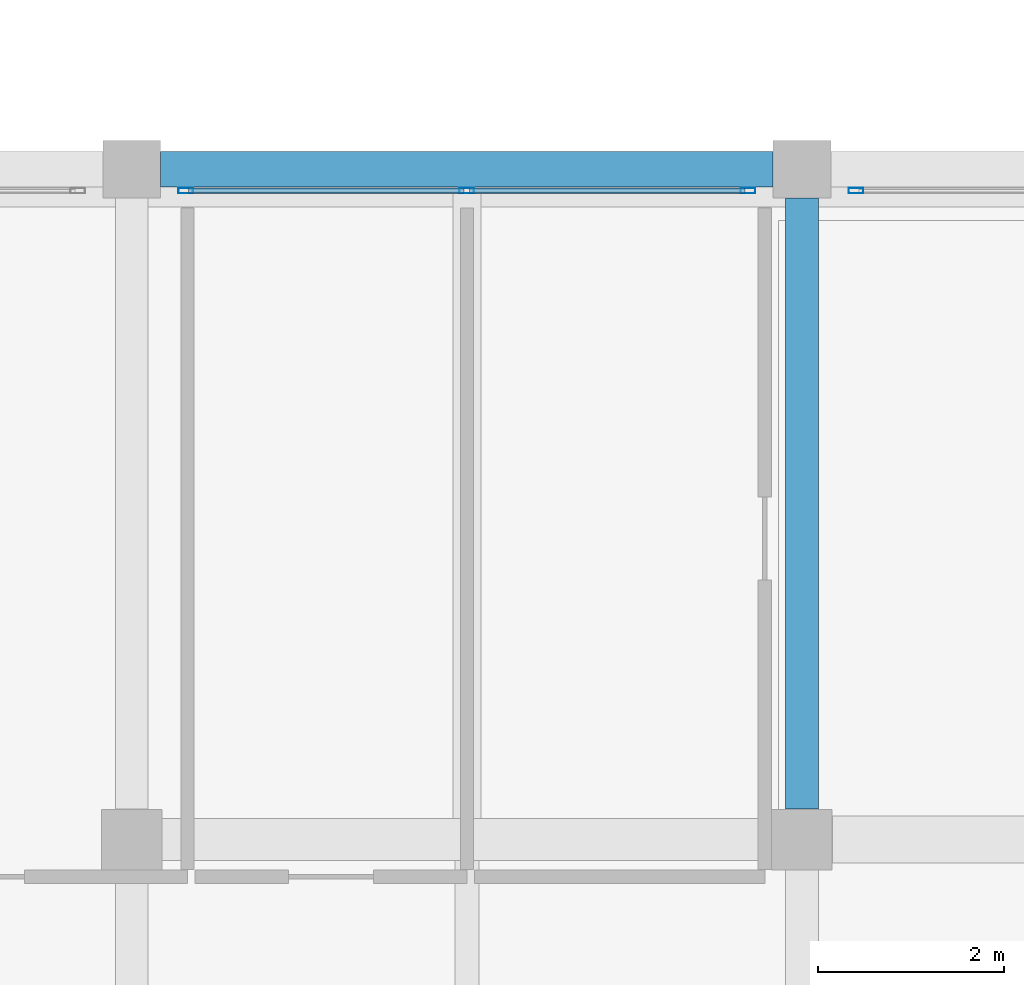
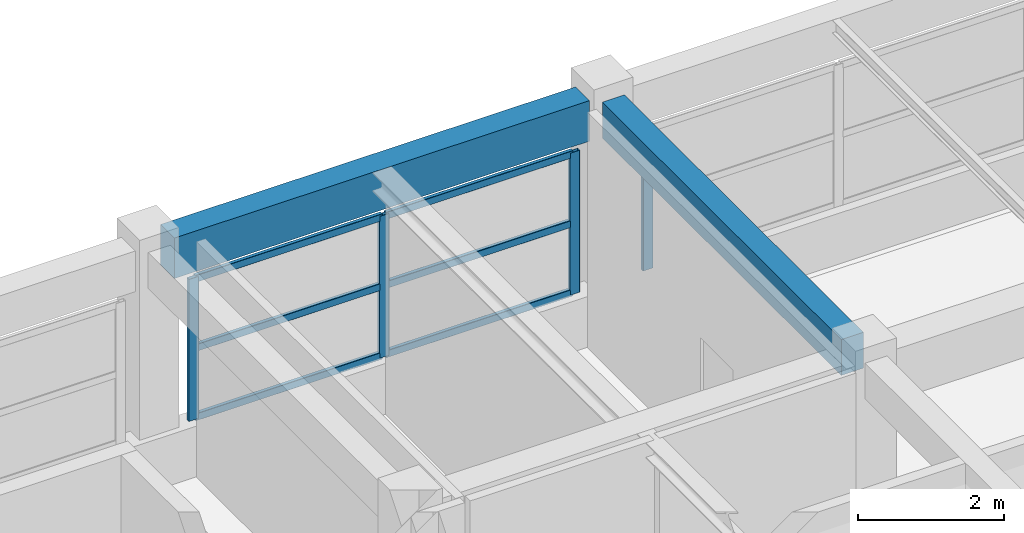
# One storey, part 15 of 67: 10 members, 2 beams, 2 elements without a shape of their own.
"""IFC4 building model written with IfcOpenShell, lengths in metres."""

from ifc_helpers import new_model, si_unit, direction, frame, origin, origin_2d, place, context, subcontext, project, spatial, rectangle, hollow_rectangle, extrude, material, material_profile, profile_set, type_object, element, aggregate, save


model = new_model("IFC4")

# Units and contexts
model_context = context("Model", 3, precision=1e-05, world=origin(), true_north=direction((0.0, 1.0)))
body_context = subcontext(model_context, "Body", "Model", "MODEL_VIEW")
ifc_project = project(units=[si_unit("LENGTHUNIT", "METRE"), si_unit("AREAUNIT", "SQUARE_METRE"), si_unit("VOLUMEUNIT", "CUBIC_METRE"), si_unit("PLANEANGLEUNIT", "RADIAN"), si_unit("MASSUNIT", "GRAM", prefix="KILO")], contexts=[model_context])

# Site, building, storey
site_placement = place(None, origin())
site = spatial("IfcSite", under=ifc_project, at=site_placement, CompositionType="ELEMENT")
building_placement = place(site_placement, origin())
building = spatial("IfcBuilding", under=site, at=building_placement, Name="Bramveld Media Centre", CompositionType="ELEMENT")
storey_placement = place(building_placement, frame((0.0, 0.0, 5.39990234375)))
storey = spatial("IfcBuildingStorey", under=building, at=storey_placement, Name="L01", CompositionType="ELEMENT", Elevation=5.39990234375)

# Beam
ifc_material_1 = material(Name="Concrete C40/50", Category="concrete")
ifc_material_profile_1 = material_profile(ifc_material_1, rectangle(XDim=0.35009765625, YDim=0.60009765625, at=origin_2d()), Name="RC 350x600")
ifc_profile_set_1 = profile_set([ifc_material_profile_1], Name="Concrete C40/50")
beam_type_1 = type_object("IfcBeamType", Name="BM-INT-RC-350x600", PredefinedType="BEAM", material=ifc_profile_set_1)
beam_1_placement = place(storey_placement, frame((94.39990234375, 14.72509765625, 3.650146484375), z_axis=(0.0, 1.0, 0.0), x_axis=(-1.0, 0.0, 0.0)))
element("IfcBeam", 1, at=beam_1_placement, inside=storey, type_object=beam_type_1, Name="V5 L01 girder Y-756", PredefinedType="BEAM", context=body_context, shape_type="SweptSolid", body=[
    extrude(rectangle(XDim=0.35009765625, YDim=0.60009765625, at=origin_2d()), origin(), (0.0, 0.0, 1.0), 6.56494140625),
])

# Curtain wall, members
ifc_material_2 = material(Name="Thermally broken anodized bronze aluminium unitized curtain wall with solar-control triple glazing", Category="aluminium")
curtain_wall_type = type_object("IfcCurtainWallType", Name="CW-FACV5-6100x2380", PredefinedType="NOTDEFINED", material=ifc_material_2)
curtain_wall_1_placement = place(storey_placement, origin())
curtain_wall_1 = element("IfcCurtainWall", 2, at=curtain_wall_1_placement, inside=storey, type_object=curtain_wall_type, Name="V5 L01 N curtain wall bay 5", PredefinedType="NOTDEFINED")
ifc_material_3 = material(Name="Thermally broken anodized bronze aluminium EN AW-6063 T6 curtain-wall framing", Category="aluminium")
ifc_material_profile_2 = material_profile(ifc_material_3, hollow_rectangle(XDim=0.06005859375, YDim=0.159912109375, WallThickness=0.00390625, InnerFilletRadius=0.00390625, OuterFilletRadius=0.008056640625, at=origin_2d()), Name="AL-MULL 60x160")
ifc_profile_set_2 = profile_set([ifc_material_profile_2], Name="Thermally broken anodized bronze aluminium EN AW-6063 T6 curtain-wall framing")
member_type_1 = type_object("IfcMemberType", Name="CW-MULL-EXT", PredefinedType="MULLION", material=ifc_profile_set_2)
member_1_placement = place(storey_placement, frame((87.780029296875, 21.3701171875, 0.85009765625), z_axis=(0.0, 0.0, 1.0), x_axis=(0.0, 1.0, 0.0)))
member_1 = element("IfcMember", 3, at=member_1_placement, type_object=member_type_1, Name="CW-FA-6123 mullion 1", PredefinedType="MULLION", context=body_context, shape_type="SweptSolid", body=[
    extrude(hollow_rectangle(XDim=0.06005859375, YDim=0.159912109375, WallThickness=0.00390625, InnerFilletRadius=0.00390625, OuterFilletRadius=0.008056640625, at=origin_2d()), origin(), (0.0, 0.0, 1.0), 2.3798828125),
])
member_2_placement = place(storey_placement, frame((90.800048828125, 21.3701171875, 0.85009765625), z_axis=(0.0, 0.0, 1.0), x_axis=(0.0, 1.0, 0.0)))
member_2 = element("IfcMember", 4, at=member_2_placement, type_object=member_type_1, Name="CW-FA-6123 mullion 2", PredefinedType="MULLION", context=body_context, shape_type="SweptSolid", body=[
    extrude(hollow_rectangle(XDim=0.06005859375, YDim=0.159912109375, WallThickness=0.00390625, InnerFilletRadius=0.00390625, OuterFilletRadius=0.008056640625, at=origin_2d()), origin(), (0.0, 0.0, 1.0), 2.3798828125),
])
member_3_placement = place(storey_placement, frame((93.820068359375, 21.3701171875, 0.85009765625), z_axis=(0.0, 0.0, 1.0), x_axis=(0.0, 1.0, 0.0)))
member_3 = element("IfcMember", 5, at=member_3_placement, type_object=member_type_1, Name="CW-FA-6123 mullion 3", PredefinedType="MULLION", context=body_context, shape_type="SweptSolid", body=[
    extrude(hollow_rectangle(XDim=0.06005859375, YDim=0.159912109375, WallThickness=0.00390625, InnerFilletRadius=0.00390625, OuterFilletRadius=0.008056640625, at=origin_2d()), origin(), (0.0, 0.0, 1.0), 2.3798828125),
])

# Curtain wall, member
curtain_wall_2_placement = place(storey_placement, origin())
curtain_wall_2 = element("IfcCurtainWall", 6, at=curtain_wall_2_placement, inside=storey, type_object=curtain_wall_type, Name="V5 L01 N curtain wall bay 6", PredefinedType="NOTDEFINED")
member_4_placement = place(storey_placement, frame((94.97998046875, 21.3701171875, 0.85009765625), z_axis=(0.0, 0.0, 1.0), x_axis=(0.0, 1.0, 0.0)))
member_4 = element("IfcMember", 7, at=member_4_placement, type_object=member_type_1, Name="CW-FA-6123 mullion 1", PredefinedType="MULLION", context=body_context, shape_type="SweptSolid", body=[
    extrude(hollow_rectangle(XDim=0.06005859375, YDim=0.159912109375, WallThickness=0.00390625, InnerFilletRadius=0.00390625, OuterFilletRadius=0.008056640625, at=origin_2d()), origin(), (0.0, 0.0, 1.0), 2.3798828125),
])
aggregate(curtain_wall_2, [member_4])

# Member
ifc_material_4 = material(Name="Thermally broken anodized bronze aluminium EN AW-6063 T6 curtain-wall framing", Category="aluminium")
ifc_material_profile_3 = material_profile(ifc_material_4, hollow_rectangle(XDim=0.06005859375, YDim=0.1201171875, WallThickness=0.00341796875, InnerFilletRadius=0.00341796875, OuterFilletRadius=0.007080078125, at=origin_2d()), Name="AL-TRAN 60x120")
ifc_profile_set_3 = profile_set([ifc_material_profile_3], Name="Thermally broken anodized bronze aluminium EN AW-6063 T6 curtain-wall framing")
member_type_2 = type_object("IfcMemberType", Name="CW-TRAN-EXT", PredefinedType="USERDEFINED", material=ifc_profile_set_3)
member_5_placement = place(storey_placement, frame((87.81005859375, 21.3701171875, 0.880126953125), z_axis=(1.0, 0.0, 0.0), x_axis=(0.0, 1.0, 0.0)))
member_5 = element("IfcMember", 8, at=member_5_placement, type_object=member_type_2, Name="CW-FA-6123 transom 1.1", ObjectType="TRANSOM", PredefinedType="USERDEFINED", context=body_context, shape_type="SweptSolid", body=[
    extrude(hollow_rectangle(XDim=0.06005859375, YDim=0.1201171875, WallThickness=0.00341796875, InnerFilletRadius=0.00341796875, OuterFilletRadius=0.007080078125, at=origin_2d()), origin(), (0.0, 0.0, 1.0), 2.9599609375),
])

member_6_placement = place(storey_placement, frame((87.81005859375, 21.3701171875, 2.0400390625), z_axis=(1.0, 0.0, 0.0), x_axis=(0.0, 1.0, 0.0)))
member_6 = element("IfcMember", 9, at=member_6_placement, type_object=member_type_2, Name="CW-FA-6123 transom 1.2", ObjectType="TRANSOM", PredefinedType="USERDEFINED", context=body_context, shape_type="SweptSolid", body=[
    extrude(hollow_rectangle(XDim=0.06005859375, YDim=0.1201171875, WallThickness=0.00341796875, InnerFilletRadius=0.00341796875, OuterFilletRadius=0.007080078125, at=origin_2d()), origin(), (0.0, 0.0, 1.0), 2.9599609375),
])

member_7_placement = place(storey_placement, frame((87.81005859375, 21.3701171875, 3.2001953125), z_axis=(1.0, 0.0, 0.0), x_axis=(0.0, 1.0, 0.0)))
member_7 = element("IfcMember", 10, at=member_7_placement, type_object=member_type_2, Name="CW-FA-6123 transom 1.3", ObjectType="TRANSOM", PredefinedType="USERDEFINED", context=body_context, shape_type="SweptSolid", body=[
    extrude(hollow_rectangle(XDim=0.06005859375, YDim=0.1201171875, WallThickness=0.00341796875, InnerFilletRadius=0.00341796875, OuterFilletRadius=0.007080078125, at=origin_2d()), origin(), (0.0, 0.0, 1.0), 2.9599609375),
])

member_8_placement = place(storey_placement, frame((90.830078125, 21.3701171875, 0.880126953125), z_axis=(1.0, 0.0, 0.0), x_axis=(0.0, 1.0, 0.0)))
member_8 = element("IfcMember", 11, at=member_8_placement, type_object=member_type_2, Name="CW-FA-6123 transom 2.1", ObjectType="TRANSOM", PredefinedType="USERDEFINED", context=body_context, shape_type="SweptSolid", body=[
    extrude(hollow_rectangle(XDim=0.06005859375, YDim=0.1201171875, WallThickness=0.00341796875, InnerFilletRadius=0.00341796875, OuterFilletRadius=0.007080078125, at=origin_2d()), origin(), (0.0, 0.0, 1.0), 2.9599609375),
])

member_9_placement = place(storey_placement, frame((90.830078125, 21.3701171875, 2.0400390625), z_axis=(1.0, 0.0, 0.0), x_axis=(0.0, 1.0, 0.0)))
member_9 = element("IfcMember", 12, at=member_9_placement, type_object=member_type_2, Name="CW-FA-6123 transom 2.2", ObjectType="TRANSOM", PredefinedType="USERDEFINED", context=body_context, shape_type="SweptSolid", body=[
    extrude(hollow_rectangle(XDim=0.06005859375, YDim=0.1201171875, WallThickness=0.00341796875, InnerFilletRadius=0.00341796875, OuterFilletRadius=0.007080078125, at=origin_2d()), origin(), (0.0, 0.0, 1.0), 2.9599609375),
])

member_10_placement = place(storey_placement, frame((90.830078125, 21.3701171875, 3.2001953125), z_axis=(1.0, 0.0, 0.0), x_axis=(0.0, 1.0, 0.0)))
member_10 = element("IfcMember", 13, at=member_10_placement, type_object=member_type_2, Name="CW-FA-6123 transom 2.3", ObjectType="TRANSOM", PredefinedType="USERDEFINED", context=body_context, shape_type="SweptSolid", body=[
    extrude(hollow_rectangle(XDim=0.06005859375, YDim=0.1201171875, WallThickness=0.00341796875, InnerFilletRadius=0.00341796875, OuterFilletRadius=0.007080078125, at=origin_2d()), origin(), (0.0, 0.0, 1.0), 2.9599609375),
])

aggregate(curtain_wall_1, [member_1, member_2, member_3, member_5, member_6, member_7, member_8, member_9, member_10])

# Beam
ifc_material_5 = material(Name="Concrete C40/50", Category="concrete")
ifc_material_profile_4 = material_profile(ifc_material_5, rectangle(XDim=0.3798828125, YDim=0.679931640625, at=origin_2d()), Name="RC 380x680")
ifc_profile_set_4 = profile_set([ifc_material_profile_4], Name="Concrete C40/50")
beam_type_2 = type_object("IfcBeamType", Name="SPANDREL-EXT-RC-380x680", PredefinedType="SPANDREL", material=ifc_profile_set_4)
beam_2_placement = place(storey_placement, frame((87.510009765625, 21.60009765625, 3.610107421875), z_axis=(1.0, 0.0, 0.0), x_axis=(0.0, 1.0, 0.0)))
element("IfcBeam", 14, at=beam_2_placement, inside=storey, type_object=beam_type_2, Name="V5 L01 girder X-738", PredefinedType="SPANDREL", context=body_context, shape_type="SweptSolid", body=[
    extrude(rectangle(XDim=0.3798828125, YDim=0.679931640625, at=origin_2d()), origin(), (0.0, 0.0, 1.0), 6.580078125),
])

save(model, "model.ifc")
